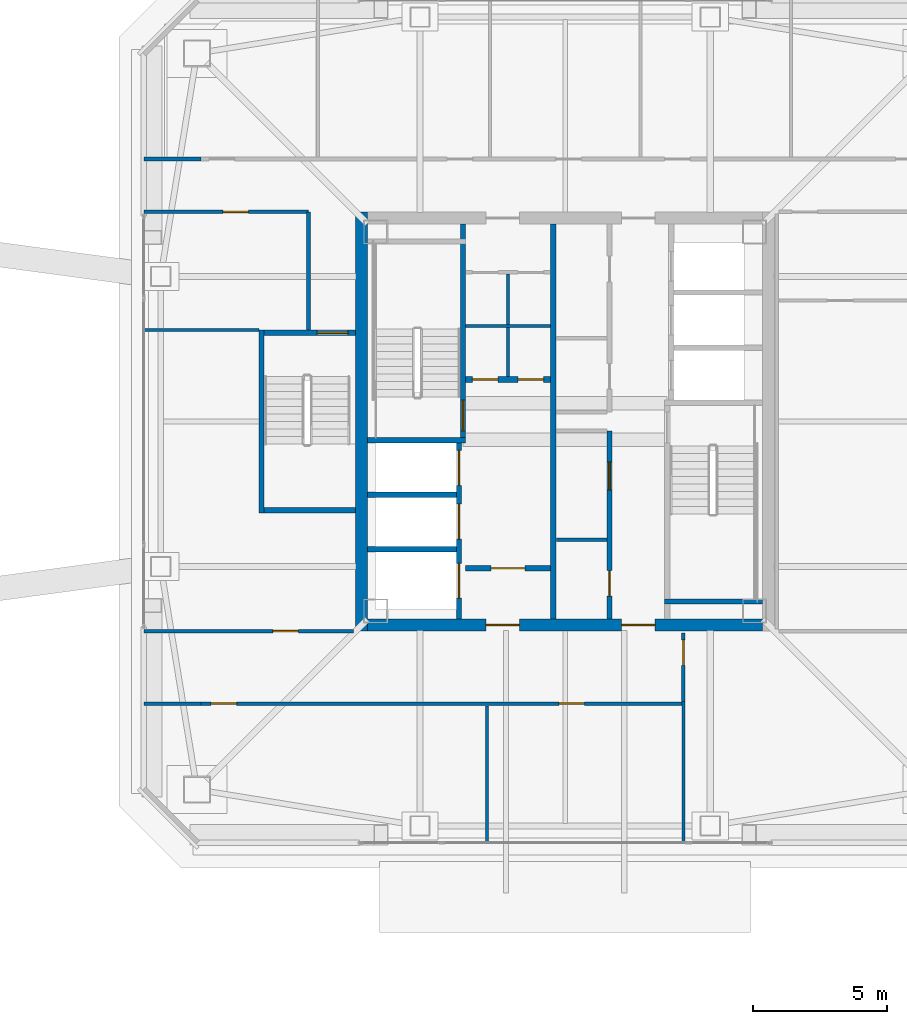
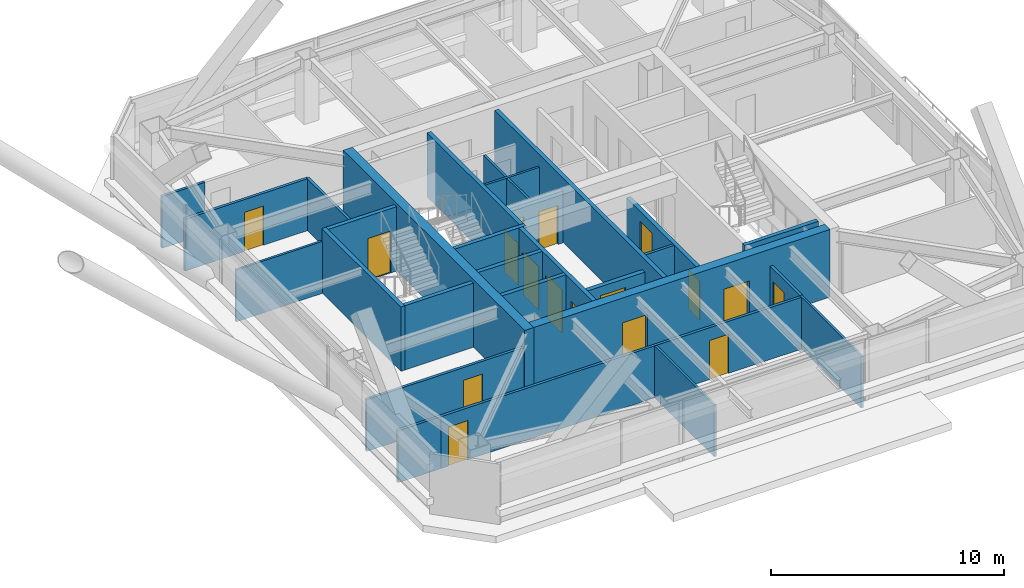
# One storey, part 30 of 39: 28 walls, 17 doors, 17 openings.
"""IFC4 building model written with IfcOpenShell, lengths in metres."""

from ifc_helpers import new_model, si_unit, direction, frame, frame_2d, origin, place, context, subcontext, project, spatial, rectangle, extrude, material, layer, layer_set, type_object, element, fill, save


model = new_model("IFC4")

# Units and contexts
model_context = context("Model", 3, precision=1e-05, world=origin(), true_north=direction((0.0, 1.0)))
body_context = subcontext(model_context, "Body", "Model", "MODEL_VIEW")
ifc_project = project(units=[si_unit("LENGTHUNIT", "METRE"), si_unit("AREAUNIT", "SQUARE_METRE"), si_unit("VOLUMEUNIT", "CUBIC_METRE"), si_unit("PLANEANGLEUNIT", "RADIAN"), si_unit("MASSUNIT", "GRAM", prefix="KILO")], contexts=[model_context])

# Site, building, storey
site_placement = place(None, origin())
site = spatial("IfcSite", under=ifc_project, at=site_placement, CompositionType="ELEMENT")
building_placement = place(site_placement, origin())
building = spatial("IfcBuilding", under=site, at=building_placement, Name="Tashvorn Skyway Center", CompositionType="ELEMENT")
storey_placement = place(building_placement, frame((0.0, 0.0, 232.60009765625)))
storey = spatial("IfcBuildingStorey", under=building, at=storey_placement, Name="L63", CompositionType="ELEMENT", Elevation=232.60009765625)

# Wall
ifc_material_1 = material(Name="Concrete C50/60", Category="concrete")
ifc_layer_1 = layer(ifc_material_1, 0.449951171875)
ifc_layer_set_1 = layer_set([ifc_layer_1], Name="Concrete C50/60")
wall_type_1 = type_object("IfcWallType", Name="WALL-CORE-450", PredefinedType="SHEAR", material=ifc_layer_set_1)
wall_1_placement = place(storey_placement, frame((34.425048828125, 24.199951171875, 0.0), z_axis=(0.0, 0.0, 1.0), x_axis=(0.0, 1.0, 0.0)))
element("IfcWall", 1, at=wall_1_placement, inside=storey, type_object=wall_type_1, Name="Tower 1 L63 West Core Shear Wall", PredefinedType="SHEAR", context=body_context, shape_type="SweptSolid", body=[
    extrude(rectangle(XDim=15.60009765625, YDim=0.449951171875, at=frame_2d((7.800048828125, 0.0))), origin(), (0.0, 0.0, 1.0), 3.5498046875),
])

# Wall, openings, doors
wall_2_placement = place(storey_placement, frame((49.35009765625, 24.425048828125, 0.0), z_axis=(0.0, 0.0, 1.0), x_axis=(-1.0, 0.0, 0.0)))
wall_2 = element("IfcWall", 2, at=wall_2_placement, inside=storey, type_object=wall_type_1, Name="Tower 1 L63 South Core Shear Wall", PredefinedType="SHEAR", context=body_context, shape_type="SweptSolid", body=[
    extrude(rectangle(XDim=14.7001953125, YDim=0.449951171875, at=frame_2d((7.35009765625, 0.0))), origin(), (0.0, 0.0, 1.0), 3.5498046875),
])
opening_1_placement = place(wall_2_placement, frame((9.050048828125, 0.0, 0.0)))
opening_1 = element("IfcOpeningElement", 3, at=opening_1_placement, cuts=wall_2, Name="Opening D-FFL-1250", PredefinedType="OPENING", context=body_context, shape_type="SweptSolid", body=[
    extrude(rectangle(XDim=1.25, YDim=2.25, at=frame_2d((0.625, 1.125))), frame((0.0, 0.23486328125, 0.0), z_axis=(0.0, -1.0, 0.0), x_axis=(1.0, 0.0, 0.0)), (0.0, 0.0, 1.0), 0.469970703125),
])
opening_2_placement = place(wall_2_placement, frame((4.0, 0.0, 0.0)))
opening_2 = element("IfcOpeningElement", 4, at=opening_2_placement, cuts=wall_2, Name="Opening D-FFL-1250", PredefinedType="OPENING", context=body_context, shape_type="SweptSolid", body=[
    extrude(rectangle(XDim=1.25, YDim=2.25, at=frame_2d((0.625, 1.125))), frame((0.0, 0.23486328125, 0.0), z_axis=(0.0, -1.0, 0.0), x_axis=(1.0, 0.0, 0.0)), (0.0, 0.0, 1.0), 0.469970703125),
])
ifc_material_2 = material(Name="Hollow galvanized steel fire door assembly", Category="steel")
door_type_1 = type_object("IfcDoorType", Name="DOOR-FFL-1250", OperationType="NOTDEFINED", PredefinedType="DOOR", material=ifc_material_2)
door_1_placement = place(opening_1_placement, origin())
door_1 = element("IfcDoor", 5, at=door_1_placement, inside=storey, type_object=door_type_1, Name="Tower 1 L63 Core South Firefighting Exit Door", OperationType="SINGLE_SWING_LEFT", OverallHeight=2.25, OverallWidth=1.25, PredefinedType="DOOR", context=body_context, shape_type="SweptSolid", body=[
    extrude(rectangle(XDim=1.25, YDim=2.25, at=frame_2d((0.625, 1.125))), frame((0.0, 0.02490234375, 0.0), z_axis=(0.0, -1.0, 0.0), x_axis=(1.0, 0.0, 0.0)), (0.0, 0.0, 1.0), 0.050048828125),
])
fill(opening_1, door_1)
door_2_placement = place(opening_2_placement, origin())
door_2 = element("IfcDoor", 6, at=door_2_placement, inside=storey, type_object=door_type_1, Name="Tower 1 L63 Core South Lift Lobby Door", OperationType="SINGLE_SWING_RIGHT", OverallHeight=2.25, OverallWidth=1.25, PredefinedType="DOOR", context=body_context, shape_type="SweptSolid", body=[
    extrude(rectangle(XDim=1.25, YDim=2.25, at=frame_2d((0.625, 1.125))), frame((0.0, 0.02490234375, 0.0), z_axis=(0.0, -1.0, 0.0), x_axis=(1.0, 0.0, 0.0)), (0.0, 0.0, 1.0), 0.050048828125),
])
fill(opening_2, door_2)

ifc_material_3 = material(Name="Concrete C40/50", Category="concrete")
ifc_layer_2 = layer(ifc_material_3, 0.219970703125)
ifc_layer_set_2 = layer_set([ifc_layer_2], Name="Concrete C40/50")
wall_type_2 = type_object("IfcWallType", Name="WALL-FFL-220", PredefinedType="SOLIDWALL", material=ifc_layer_set_2)
wall_3_placement = place(storey_placement, frame((38.300048828125, 33.56005859375, 0.0), z_axis=(0.0, 0.0, 1.0), x_axis=(1.0, 0.0, 0.0)))
wall_3 = element("IfcWall", 7, at=wall_3_placement, inside=storey, type_object=wall_type_2, Name="Tower 1 L63 Firefighting Lobby North Wall", PredefinedType="SOLIDWALL", context=body_context, shape_type="SweptSolid", body=[
    extrude(rectangle(XDim=3.14990234375, YDim=0.219970703125, at=frame_2d((1.574951171875, 0.0))), origin(), (0.0, 0.0, 1.0), 2.722900390625),
])
opening_3_placement = place(wall_3_placement, frame((0.25, 0.0, 0.0)))
opening_3 = element("IfcOpeningElement", 8, at=opening_3_placement, cuts=wall_3, Name="Opening D-RT-950", PredefinedType="OPENING", context=body_context, shape_type="SweptSolid", body=[
    extrude(rectangle(XDim=0.949951171875, YDim=2.050048828125, at=frame_2d((0.47509765625, 1.02490234375))), frame((0.0, 0.119873046875, 0.0), z_axis=(0.0, -1.0, 0.0), x_axis=(1.0, 0.0, 0.0)), (0.0, 0.0, 1.0), 0.239990234375),
])
opening_4_placement = place(wall_3_placement, frame((1.949951171875, 0.0, 0.0)))
opening_4 = element("IfcOpeningElement", 9, at=opening_4_placement, cuts=wall_3, Name="Opening D-RT-950", PredefinedType="OPENING", context=body_context, shape_type="SweptSolid", body=[
    extrude(rectangle(XDim=0.949951171875, YDim=2.050048828125, at=frame_2d((0.47509765625, 1.02490234375))), frame((0.0, 0.119873046875, 0.0), z_axis=(0.0, -1.0, 0.0), x_axis=(1.0, 0.0, 0.0)), (0.0, 0.0, 1.0), 0.239990234375),
])
door_type_2 = type_object("IfcDoorType", Name="DOOR-RATED-950", OperationType="NOTDEFINED", PredefinedType="DOOR", material=ifc_material_2)
door_3_placement = place(opening_3_placement, origin())
door_3 = element("IfcDoor", 10, at=door_3_placement, inside=storey, type_object=door_type_2, Name="Tower 1 L63 Core Mail Room Door", OperationType="SINGLE_SWING_LEFT", OverallHeight=2.050048828125, OverallWidth=0.949951171875, PredefinedType="DOOR", context=body_context, shape_type="SweptSolid", body=[
    extrude(rectangle(XDim=0.949951171875, YDim=2.050048828125, at=frame_2d((0.47509765625, 1.02490234375))), frame((0.0, 0.02490234375, 0.0), z_axis=(0.0, -1.0, 0.0), x_axis=(1.0, 0.0, 0.0)), (0.0, 0.0, 1.0), 0.050048828125),
])
fill(opening_3, door_3)
door_4_placement = place(opening_4_placement, origin())
door_4 = element("IfcDoor", 11, at=door_4_placement, inside=storey, type_object=door_type_2, Name="Tower 1 L63 Core Supply Closet Door", OperationType="SINGLE_SWING_RIGHT", OverallHeight=2.050048828125, OverallWidth=0.949951171875, PredefinedType="DOOR", context=body_context, shape_type="SweptSolid", body=[
    extrude(rectangle(XDim=0.949951171875, YDim=2.050048828125, at=frame_2d((0.47509765625, 1.02490234375))), frame((0.0, 0.02490234375, 0.0), z_axis=(0.0, -1.0, 0.0), x_axis=(1.0, 0.0, 0.0)), (0.0, 0.0, 1.0), 0.050048828125),
])
fill(opening_4, door_4)

# Wall, opening, door
wall_4_placement = place(storey_placement, frame((38.300048828125, 26.5400390625, 0.0), z_axis=(0.0, 0.0, 1.0), x_axis=(1.0, 0.0, 0.0)))
wall_4 = element("IfcWall", 12, at=wall_4_placement, inside=storey, type_object=wall_type_2, Name="Tower 1 L63 Firefighting Lobby South Wall", PredefinedType="SOLIDWALL", context=body_context, shape_type="SweptSolid", body=[
    extrude(rectangle(XDim=3.14990234375, YDim=0.219970703125, at=frame_2d((1.574951171875, 0.0))), origin(), (0.0, 0.0, 1.0), 2.722900390625),
])
opening_5_placement = place(wall_4_placement, frame((0.949951171875, 0.0, 0.0)))
opening_5 = element("IfcOpeningElement", 13, at=opening_5_placement, cuts=wall_4, Name="Opening D-FFL-1250", PredefinedType="OPENING", context=body_context, shape_type="SweptSolid", body=[
    extrude(rectangle(XDim=1.25, YDim=2.25, at=frame_2d((0.625, 1.125))), frame((0.0, 0.119873046875, 0.0), z_axis=(0.0, -1.0, 0.0), x_axis=(1.0, 0.0, 0.0)), (0.0, 0.0, 1.0), 0.239990234375),
])
door_5_placement = place(opening_5_placement, origin())
door_5 = element("IfcDoor", 14, at=door_5_placement, inside=storey, type_object=door_type_1, Name="Tower 1 L63 Firefighting Lobby Egress Door", OperationType="SINGLE_SWING_LEFT", OverallHeight=2.25, OverallWidth=1.25, PredefinedType="DOOR", context=body_context, shape_type="SweptSolid", body=[
    extrude(rectangle(XDim=1.25, YDim=2.25, at=frame_2d((0.625, 1.125))), frame((0.0, 0.02490234375, 0.0), z_axis=(0.0, -1.0, 0.0), x_axis=(1.0, 0.0, 0.0)), (0.0, 0.0, 1.0), 0.050048828125),
])
fill(opening_5, door_5)

# Walls
ifc_material_4 = material(Name="Gypsum board on cold-formed steel stud framing", Category="steel")
ifc_layer_3 = layer(ifc_material_4, 0.110107421875)
ifc_layer_set_3 = layer_set([ifc_layer_3], Name="Gypsum board on cold-formed steel stud framing")
wall_type_3 = type_object("IfcWallType", Name="WALL-PART-110", PredefinedType="PARTITIONING", material=ifc_layer_set_3)
wall_5_placement = place(storey_placement, frame((39.10009765625, 16.320068359375, 0.0), z_axis=(0.0, 0.0, 1.0), x_axis=(0.0, 1.0, 0.0)))
element("IfcWall", 15, at=wall_5_placement, inside=storey, type_object=wall_type_3, Name="Tower 1 L63 South Suite Partition 1", PredefinedType="PARTITIONING", context=body_context, shape_type="SweptSolid", body=[
    extrude(rectangle(XDim=5.099853515625, YDim=0.110107421875, at=frame_2d((2.5498046875, 0.0))), origin(), (0.0, 0.0, 1.0), 2.722900390625),
])
wall_6_placement = place(storey_placement, frame((46.39990234375, 16.320068359375, 0.0), z_axis=(0.0, 0.0, 1.0), x_axis=(0.0, 1.0, 0.0)))
element("IfcWall", 16, at=wall_6_placement, inside=storey, type_object=wall_type_3, Name="Tower 1 L63 South-East Suite Wall", PredefinedType="PARTITIONING", context=body_context, shape_type="SweptSolid", body=[
    extrude(rectangle(XDim=5.260009765625, YDim=0.110107421875, at=frame_2d((2.6298828125, 0.0))), origin(), (0.0, 0.0, 1.0), 2.722900390625),
])
wall_7_placement = place(storey_placement, frame((30.60009765625, 35.39990234375, 0.0), z_axis=(0.0, 0.0, 1.0), x_axis=(-1.0, 0.0, 0.0)))
element("IfcWall", 17, at=wall_7_placement, inside=storey, type_object=wall_type_3, Name="Tower 1 L63 West Suite Partition 1", PredefinedType="PARTITIONING", context=body_context, shape_type="SweptSolid", body=[
    extrude(rectangle(XDim=4.280029296875, YDim=0.110107421875, at=frame_2d((2.14013671875, 0.0))), origin(), (0.0, 0.0, 1.0), 2.722900390625),
])
ifc_layer_4 = layer(ifc_material_4, 0.135009765625)
ifc_layer_set_4 = layer_set([ifc_layer_4], Name="Gypsum board on cold-formed steel stud framing")
wall_type_4 = type_object("IfcWallType", Name="WALL-PART-135", PredefinedType="PARTITIONING", material=ifc_layer_set_4)
wall_8_placement = place(storey_placement, frame((32.449951171875, 35.39990234375, 0.0), z_axis=(0.0, 0.0, 1.0), x_axis=(0.0, 1.0, 0.0)))
element("IfcWall", 18, at=wall_8_placement, inside=storey, type_object=wall_type_4, Name="Tower 1 L63 Stair 3 Access Corridor Wall", PredefinedType="PARTITIONING", context=body_context, shape_type="SweptSolid", body=[
    extrude(rectangle(XDim=4.400146484375, YDim=0.135009765625, at=frame_2d((2.2001953125, 0.0))), origin(), (0.0, 0.0, 1.0), 2.722900390625),
])
wall_9_placement = place(storey_placement, frame((26.320068359375, 41.77001953125, 0.0), z_axis=(0.0, 0.0, 1.0), x_axis=(1.0, 0.0, 0.0)))
element("IfcWall", 19, at=wall_9_placement, inside=storey, type_object=wall_type_4, Name="Tower 1 L63 North-West Suite South Wall", PredefinedType="PARTITIONING", context=body_context, shape_type="SweptSolid", body=[
    extrude(rectangle(XDim=2.1298828125, YDim=0.135009765625, at=frame_2d((1.06494140625, 0.0))), origin(), (0.0, 0.0, 1.0), 2.722900390625),
])

# Wall, openings, doors
wall_10_placement = place(storey_placement, frame((46.39990234375, 21.5, 0.0), z_axis=(0.0, 0.0, 1.0), x_axis=(-1.0, 0.0, 0.0)))
wall_10 = element("IfcWall", 20, at=wall_10_placement, inside=storey, type_object=wall_type_4, Name="Tower 1 L63 South Suite Wall", PredefinedType="PARTITIONING", context=body_context, shape_type="SweptSolid", body=[
    extrude(rectangle(XDim=17.949951171875, YDim=0.135009765625, at=frame_2d((8.97509765625, 0.0))), origin(), (0.0, 0.0, 1.0), 2.722900390625),
])
opening_6_placement = place(wall_10_placement, frame((16.6201171875, 0.0, 0.0)))
opening_6 = element("IfcOpeningElement", 21, at=opening_6_placement, cuts=wall_10, Name="Opening D-INT-950", PredefinedType="OPENING", context=body_context, shape_type="SweptSolid", body=[
    extrude(rectangle(XDim=0.949951171875, YDim=2.050048828125, at=frame_2d((0.47509765625, 1.02490234375))), frame((0.0, 0.077392578125, 0.0), z_axis=(0.0, -1.0, 0.0), x_axis=(1.0, 0.0, 0.0)), (0.0, 0.0, 1.0), 0.155029296875),
])
opening_7_placement = place(wall_10_placement, frame((3.68310546875, 0.0, 0.0)))
opening_7 = element("IfcOpeningElement", 22, at=opening_7_placement, cuts=wall_10, Name="Opening D-INT-950", PredefinedType="OPENING", context=body_context, shape_type="SweptSolid", body=[
    extrude(rectangle(XDim=0.949951171875, YDim=2.050048828125, at=frame_2d((0.47509765625, 1.02490234375))), frame((0.0, 0.077392578125, 0.0), z_axis=(0.0, -1.0, 0.0), x_axis=(1.0, 0.0, 0.0)), (0.0, 0.0, 1.0), 0.155029296875),
])
ifc_material_5 = material(Name="Solid-core architectural oak veneer door")
door_type_3 = type_object("IfcDoorType", Name="DOOR-INT-950", OperationType="NOTDEFINED", PredefinedType="DOOR", material=ifc_material_5)
door_6_placement = place(opening_6_placement, origin())
door_6 = element("IfcDoor", 23, at=door_6_placement, inside=storey, type_object=door_type_3, Name="Tower 1 L63 Research Library Door", OperationType="SINGLE_SWING_LEFT", OverallHeight=2.050048828125, OverallWidth=0.949951171875, PredefinedType="DOOR", context=body_context, shape_type="SweptSolid", body=[
    extrude(rectangle(XDim=0.949951171875, YDim=2.050048828125, at=frame_2d((0.47509765625, 1.02490234375))), frame((0.0, 0.02490234375, 0.0), z_axis=(0.0, -1.0, 0.0), x_axis=(1.0, 0.0, 0.0)), (0.0, 0.0, 1.0), 0.050048828125),
])
fill(opening_6, door_6)
door_7_placement = place(opening_7_placement, origin())
door_7 = element("IfcDoor", 24, at=door_7_placement, inside=storey, type_object=door_type_3, Name="Tower 1 L63 Reading Lounge Door", OperationType="SINGLE_SWING_RIGHT", OverallHeight=2.050048828125, OverallWidth=0.949951171875, PredefinedType="DOOR", context=body_context, shape_type="SweptSolid", body=[
    extrude(rectangle(XDim=0.949951171875, YDim=2.050048828125, at=frame_2d((0.47509765625, 1.02490234375))), frame((0.0, 0.02490234375, 0.0), z_axis=(0.0, -1.0, 0.0), x_axis=(1.0, 0.0, 0.0)), (0.0, 0.0, 1.0), 0.050048828125),
])
fill(opening_7, door_7)

# Wall
wall_11_placement = place(storey_placement, frame((26.320068359375, 21.5, 0.0), z_axis=(0.0, 0.0, 1.0), x_axis=(1.0, 0.0, 0.0)))
element("IfcWall", 25, at=wall_11_placement, inside=storey, type_object=wall_type_4, Name="Tower 1 L63 South-West Suite North Wall", PredefinedType="PARTITIONING", context=body_context, shape_type="SweptSolid", body=[
    extrude(rectangle(XDim=2.1298828125, YDim=0.135009765625, at=frame_2d((1.06494140625, 0.0))), origin(), (0.0, 0.0, 1.0), 2.722900390625),
])

# Wall, opening, door
wall_12_placement = place(storey_placement, frame((46.39990234375, 24.1201171875, 0.0), z_axis=(0.0, 0.0, 1.0), x_axis=(0.0, -1.0, 0.0)))
wall_12 = element("IfcWall", 26, at=wall_12_placement, inside=storey, type_object=wall_type_4, Name="Tower 1 L63 South Gallery End Wall", PredefinedType="PARTITIONING", context=body_context, shape_type="SweptSolid", body=[
    extrude(rectangle(XDim=2.5400390625, YDim=0.135009765625, at=frame_2d((1.27001953125, 0.0))), origin(), (0.0, 0.0, 1.0), 2.722900390625),
])
opening_8_placement = place(wall_12_placement, frame((0.25, 0.0, 0.0)))
opening_8 = element("IfcOpeningElement", 27, at=opening_8_placement, cuts=wall_12, Name="Opening D-INT-950", PredefinedType="OPENING", context=body_context, shape_type="SweptSolid", body=[
    extrude(rectangle(XDim=0.949951171875, YDim=2.050048828125, at=frame_2d((0.47509765625, 1.02490234375))), frame((0.0, 0.077392578125, 0.0), z_axis=(0.0, -1.0, 0.0), x_axis=(1.0, 0.0, 0.0)), (0.0, 0.0, 1.0), 0.155029296875),
])
door_8_placement = place(opening_8_placement, origin())
door_8 = element("IfcDoor", 28, at=door_8_placement, inside=storey, type_object=door_type_3, Name="Tower 1 L63 Research Library Door", OperationType="SINGLE_SWING_LEFT", OverallHeight=2.050048828125, OverallWidth=0.949951171875, PredefinedType="DOOR", context=body_context, shape_type="SweptSolid", body=[
    extrude(rectangle(XDim=0.949951171875, YDim=2.050048828125, at=frame_2d((0.47509765625, 1.02490234375))), frame((0.0, 0.02490234375, 0.0), z_axis=(0.0, -1.0, 0.0), x_axis=(1.0, 0.0, 0.0)), (0.0, 0.0, 1.0), 0.050048828125),
])
fill(opening_8, door_8)

wall_13_placement = place(storey_placement, frame((32.449951171875, 39.800048828125, 0.0), z_axis=(0.0, 0.0, 1.0), x_axis=(-1.0, 0.0, 0.0)))
wall_13 = element("IfcWall", 29, at=wall_13_placement, inside=storey, type_object=wall_type_4, Name="Tower 1 L63 West Suite North Wall", PredefinedType="PARTITIONING", context=body_context, shape_type="SweptSolid", body=[
    extrude(rectangle(XDim=6.1298828125, YDim=0.135009765625, at=frame_2d((3.06494140625, 0.0))), origin(), (0.0, 0.0, 1.0), 2.722900390625),
])
opening_9_placement = place(wall_13_placement, frame((2.239990234375, 0.0, 0.0)))
opening_9 = element("IfcOpeningElement", 30, at=opening_9_placement, cuts=wall_13, Name="Opening D-INT-950", PredefinedType="OPENING", context=body_context, shape_type="SweptSolid", body=[
    extrude(rectangle(XDim=0.949951171875, YDim=2.050048828125, at=frame_2d((0.47509765625, 1.02490234375))), frame((0.0, 0.077392578125, 0.0), z_axis=(0.0, -1.0, 0.0), x_axis=(1.0, 0.0, 0.0)), (0.0, 0.0, 1.0), 0.155029296875),
])
door_9_placement = place(opening_9_placement, origin())
door_9 = element("IfcDoor", 31, at=door_9_placement, inside=storey, type_object=door_type_3, Name="Tower 1 L63 Design Studio Door", OperationType="SINGLE_SWING_RIGHT", OverallHeight=2.050048828125, OverallWidth=0.949951171875, PredefinedType="DOOR", context=body_context, shape_type="SweptSolid", body=[
    extrude(rectangle(XDim=0.949951171875, YDim=2.050048828125, at=frame_2d((0.47509765625, 1.02490234375))), frame((0.0, 0.02490234375, 0.0), z_axis=(0.0, -1.0, 0.0), x_axis=(1.0, 0.0, 0.0)), (0.0, 0.0, 1.0), 0.050048828125),
])
fill(opening_9, door_9)

wall_14_placement = place(storey_placement, frame((26.320068359375, 24.199951171875, 0.0), z_axis=(0.0, 0.0, 1.0), x_axis=(1.0, 0.0, 0.0)))
wall_14 = element("IfcWall", 32, at=wall_14_placement, inside=storey, type_object=wall_type_4, Name="Tower 1 L63 West Suite South Wall", PredefinedType="PARTITIONING", context=body_context, shape_type="SweptSolid", body=[
    extrude(rectangle(XDim=7.800048828125, YDim=0.135009765625, at=frame_2d((3.89990234375, 0.0))), origin(), (0.0, 0.0, 1.0), 2.722900390625),
])
opening_10_placement = place(wall_14_placement, frame((4.804931640625, 0.0, 0.0)))
opening_10 = element("IfcOpeningElement", 33, at=opening_10_placement, cuts=wall_14, Name="Opening D-INT-950", PredefinedType="OPENING", context=body_context, shape_type="SweptSolid", body=[
    extrude(rectangle(XDim=0.949951171875, YDim=2.050048828125, at=frame_2d((0.47509765625, 1.02490234375))), frame((0.0, 0.077392578125, 0.0), z_axis=(0.0, -1.0, 0.0), x_axis=(1.0, 0.0, 0.0)), (0.0, 0.0, 1.0), 0.155029296875),
])
door_10_placement = place(opening_10_placement, origin())
door_10 = element("IfcDoor", 34, at=door_10_placement, inside=storey, type_object=door_type_3, Name="Tower 1 L63 Public Restroom Door", OperationType="SINGLE_SWING_LEFT", OverallHeight=2.050048828125, OverallWidth=0.949951171875, PredefinedType="DOOR", context=body_context, shape_type="SweptSolid", body=[
    extrude(rectangle(XDim=0.949951171875, YDim=2.050048828125, at=frame_2d((0.47509765625, 1.02490234375))), frame((0.0, 0.02490234375, 0.0), z_axis=(0.0, -1.0, 0.0), x_axis=(1.0, 0.0, 0.0)), (0.0, 0.0, 1.0), 0.050048828125),
])
fill(opening_10, door_10)

# Walls
ifc_layer_5 = layer(ifc_material_4, 0.110107421875)
ifc_layer_set_5 = layer_set([ifc_layer_5], Name="Gypsum board on cold-formed steel stud framing")
wall_type_5 = type_object("IfcWallType", Name="WALL-RATED-110", PredefinedType="PARTITIONING", material=ifc_layer_set_5)
wall_15_placement = place(storey_placement, frame((39.8798828125, 33.679931640625, 0.0), z_axis=(0.0, 0.0, 1.0), x_axis=(0.0, 1.0, 0.0)))
element("IfcWall", 35, at=wall_15_placement, inside=storey, type_object=wall_type_5, Name="Tower 1 L63 Core Cross Vertical", PredefinedType="PARTITIONING", context=body_context, shape_type="SweptSolid", body=[
    extrude(rectangle(XDim=3.800048828125, YDim=0.110107421875, at=frame_2d((1.89990234375, 0.0))), origin(), (0.0, 0.0, 1.0), 2.722900390625),
])
wall_16_placement = place(storey_placement, frame((38.300048828125, 35.550048828125, 0.0), z_axis=(0.0, 0.0, 1.0), x_axis=(1.0, 0.0, 0.0)))
element("IfcWall", 36, at=wall_16_placement, inside=storey, type_object=wall_type_5, Name="Tower 1 L63 Core Cross Horizontal", PredefinedType="PARTITIONING", context=body_context, shape_type="SweptSolid", body=[
    extrude(rectangle(XDim=3.14990234375, YDim=0.110107421875, at=frame_2d((1.574951171875, 0.0))), origin(), (0.0, 0.0, 1.0), 2.722900390625),
])
ifc_layer_6 = layer(ifc_material_4, 0.135009765625)
ifc_layer_set_6 = layer_set([ifc_layer_6], Name="Gypsum board on cold-formed steel stud framing")
wall_type_6 = type_object("IfcWallType", Name="WALL-RATED-135", PredefinedType="PARTITIONING", material=ifc_layer_set_6)
wall_17_placement = place(storey_placement, frame((41.669921875, 27.60009765625, 0.0), z_axis=(0.0, 0.0, 1.0), x_axis=(1.0, 0.0, 0.0)))
element("IfcWall", 37, at=wall_17_placement, inside=storey, type_object=wall_type_6, Name="Tower 1 L63 Freed Core Partition", PredefinedType="PARTITIONING", context=body_context, shape_type="SweptSolid", body=[
    extrude(rectangle(XDim=1.880126953125, YDim=0.135009765625, at=frame_2d((0.93994140625, 0.0))), origin(), (0.0, 0.0, 1.0), 2.722900390625),
])
ifc_layer_7 = layer(ifc_material_3, 0.199951171875)
ifc_layer_set_7 = layer_set([ifc_layer_7], Name="Concrete C40/50")
wall_type_7 = type_object("IfcWallType", Name="WALL-SHAFT-200", PredefinedType="SOLIDWALL", material=ifc_layer_set_7)
for number, where, z_axis, x_axis, name in (
    (38, (34.64990234375, 27.25, 0.0), (0.0, 0.0, 1.0), (1.0, 0.0, 0.0), "Tower 1 L63 FSAE Shaft Divider"),
    (39, (34.64990234375, 29.280029296875, 0.0), (0.0, 0.0, 1.0), (1.0, 0.0, 0.0), "Tower 1 L63 FSAE Shaft Divider"),
):
    element("IfcWall", number, at=place(storey_placement, frame(where, z_axis=z_axis, x_axis=x_axis)), inside=storey, type_object=wall_type_7, Name=name, PredefinedType="SOLIDWALL", context=body_context, shape_type="SweptSolid", body=[
        extrude(rectangle(XDim=3.300048828125, YDim=0.199951171875, at=frame_2d((1.64990234375, 0.0))), origin(), (0.0, 0.0, 1.0), 3.369873046875),
    ])

# Wall, openings, doors
wall_18_placement = place(storey_placement, frame((43.64990234375, 24.64990234375, 0.0), z_axis=(0.0, 0.0, 1.0), x_axis=(0.0, 1.0, 0.0)))
wall_18 = element("IfcWall", 40, at=wall_18_placement, inside=storey, type_object=wall_type_7, Name="Tower 1 L63 Low-Rise Core Wall", PredefinedType="SOLIDWALL", context=body_context, shape_type="SweptSolid", body=[
    extrude(rectangle(XDim=7.0, YDim=0.199951171875, at=frame_2d((3.5, 0.0))), origin(), (0.0, 0.0, 1.0), 2.722900390625),
])
opening_11_placement = place(wall_18_placement, frame((0.85009765625, 0.0, 0.0)))
opening_11 = element("IfcOpeningElement", 41, at=opening_11_placement, cuts=wall_18, Name="Opening D-RT-950", PredefinedType="OPENING", context=body_context, shape_type="SweptSolid", body=[
    extrude(rectangle(XDim=0.949951171875, YDim=2.050048828125, at=frame_2d((0.47509765625, 1.02490234375))), frame((0.0, 0.10986328125, 0.0), z_axis=(0.0, -1.0, 0.0), x_axis=(1.0, 0.0, 0.0)), (0.0, 0.0, 1.0), 0.219970703125),
])
opening_12_placement = place(wall_18_placement, frame((4.800048828125, 0.0, 0.0)))
opening_12 = element("IfcOpeningElement", 42, at=opening_12_placement, cuts=wall_18, Name="Opening D-RT-1050", PredefinedType="OPENING", context=body_context, shape_type="SweptSolid", body=[
    extrude(rectangle(XDim=1.050048828125, YDim=2.199951171875, at=frame_2d((0.52490234375, 1.10009765625))), frame((0.0, 0.10986328125, 0.0), z_axis=(0.0, -1.0, 0.0), x_axis=(1.0, 0.0, 0.0)), (0.0, 0.0, 1.0), 0.219970703125),
])
door_type_4 = type_object("IfcDoorType", Name="DOOR-RATED-1050", OperationType="NOTDEFINED", PredefinedType="DOOR", material=ifc_material_2)
door_11_placement = place(opening_12_placement, origin())
door_11 = element("IfcDoor", 43, at=door_11_placement, inside=storey, type_object=door_type_4, Name="Tower 1 L63 Freed Core Room Door", OperationType="SINGLE_SWING_RIGHT", OverallHeight=2.199951171875, OverallWidth=1.050048828125, PredefinedType="DOOR", context=body_context, shape_type="SweptSolid", body=[
    extrude(rectangle(XDim=1.050048828125, YDim=2.199951171875, at=frame_2d((0.52490234375, 1.10009765625))), frame((0.0, 0.02490234375, 0.0), z_axis=(0.0, -1.0, 0.0), x_axis=(1.0, 0.0, 0.0)), (0.0, 0.0, 1.0), 0.050048828125),
])
fill(opening_12, door_11)
door_12_placement = place(opening_11_placement, origin())
door_12 = element("IfcDoor", 44, at=door_12_placement, inside=storey, type_object=door_type_2, Name="Tower 1 L63 Core Print Room Door", OperationType="SINGLE_SWING_LEFT", OverallHeight=2.050048828125, OverallWidth=0.949951171875, PredefinedType="DOOR", context=body_context, shape_type="SweptSolid", body=[
    extrude(rectangle(XDim=0.949951171875, YDim=2.050048828125, at=frame_2d((0.47509765625, 1.02490234375))), frame((0.0, 0.02490234375, 0.0), z_axis=(0.0, -1.0, 0.0), x_axis=(1.0, 0.0, 0.0)), (0.0, 0.0, 1.0), 0.050048828125),
])
fill(opening_11, door_12)

# Wall, opening, door
ifc_layer_8 = layer(ifc_material_3, 0.199951171875)
ifc_layer_set_8 = layer_set([ifc_layer_8], Name="Concrete C40/50")
wall_type_8 = type_object("IfcWallType", Name="WALL-STSHF-200", PredefinedType="SHEAR", material=ifc_layer_set_8)
wall_19_placement = place(storey_placement, frame((38.199951171875, 31.199951171875, 0.0), z_axis=(0.0, 0.0, 1.0), x_axis=(0.0, 1.0, 0.0)))
wall_19 = element("IfcWall", 45, at=wall_19_placement, inside=storey, type_object=wall_type_8, Name="Tower 1 L63 Stair 1 Enclosure Wall", PredefinedType="SHEAR", context=body_context, shape_type="SweptSolid", body=[
    extrude(rectangle(XDim=8.150146484375, YDim=0.199951171875, at=frame_2d((4.0751953125, 0.0))), origin(), (0.0, 0.0, 1.0), 3.369873046875),
])
opening_13_placement = place(wall_19_placement, frame((0.449951171875, 0.0, 0.0)))
opening_13 = element("IfcOpeningElement", 46, at=opening_13_placement, cuts=wall_19, Name="Opening D-ST-1150", PredefinedType="OPENING", context=body_context, shape_type="SweptSolid", body=[
    extrude(rectangle(XDim=1.14990234375, YDim=2.199951171875, at=frame_2d((0.574951171875, 1.10009765625))), frame((0.0, 0.10986328125, 0.0), z_axis=(0.0, -1.0, 0.0), x_axis=(1.0, 0.0, 0.0)), (0.0, 0.0, 1.0), 0.219970703125),
])
door_type_5 = type_object("IfcDoorType", Name="DOOR-STAIR-1150", OperationType="NOTDEFINED", PredefinedType="DOOR", material=ifc_material_2)
door_13_placement = place(opening_13_placement, origin())
door_13 = element("IfcDoor", 47, at=door_13_placement, inside=storey, type_object=door_type_5, Name="Tower 1 L63 Exit Stair 1 Door", OperationType="SINGLE_SWING_RIGHT", OverallHeight=2.199951171875, OverallWidth=1.14990234375, PredefinedType="DOOR", context=body_context, shape_type="SweptSolid", body=[
    extrude(rectangle(XDim=1.14990234375, YDim=2.199951171875, at=frame_2d((0.574951171875, 1.10009765625))), frame((0.0, 0.02490234375, 0.0), z_axis=(0.0, -1.0, 0.0), x_axis=(1.0, 0.0, 0.0)), (0.0, 0.0, 1.0), 0.050048828125),
])
fill(opening_13, door_13)

# Walls
for number, where, z_axis, x_axis, name in (
    (48, (34.64990234375, 31.300048828125, 0.0), (0.0, 0.0, 1.0), (1.0, 0.0, 0.0), "Tower 1 L63 Stair 1 South Wall"),
    (49, (45.699951171875, 25.300048828125, 0.0), (0.0, 0.0, 1.0), (1.0, 0.0, 0.0), "Tower 1 L63 Stair 2 South Wall"),
):
    element("IfcWall", number, at=place(storey_placement, frame(where, z_axis=z_axis, x_axis=x_axis)), inside=storey, type_object=wall_type_8, Name=name, PredefinedType="SHEAR", context=body_context, shape_type="SweptSolid", body=[
        extrude(rectangle(XDim=3.650146484375, YDim=0.199951171875, at=frame_2d((1.8251953125, 0.0))), origin(), (0.0, 0.0, 1.0), 3.369873046875),
    ])
wall_20_placement = place(storey_placement, frame((41.56005859375, 24.64990234375, 0.0), z_axis=(0.0, 0.0, 1.0), x_axis=(0.0, 1.0, 0.0)))
element("IfcWall", 50, at=wall_20_placement, inside=storey, type_object=wall_type_8, Name="Tower 1 L63 Firefighting Lobby East Smoke Barrier", PredefinedType="SHEAR", context=body_context, shape_type="SweptSolid", body=[
    extrude(rectangle(XDim=14.7001953125, YDim=0.199951171875, at=frame_2d((7.35009765625, 0.0))), origin(), (0.0, 0.0, 1.0), 3.369873046875),
])

# Wall, openings, doors
wall_21_placement = place(storey_placement, frame((38.050048828125, 24.64990234375, 0.0), z_axis=(0.0, 0.0, 1.0), x_axis=(0.0, 1.0, 0.0)))
wall_21 = element("IfcWall", 51, at=wall_21_placement, inside=storey, type_object=wall_type_8, Name="Tower 1 L63 FSAE and Goods Shaft Front Wall", PredefinedType="SHEAR", context=body_context, shape_type="SweptSolid", body=[
    extrude(rectangle(XDim=6.550048828125, YDim=0.199951171875, at=frame_2d((3.27490234375, 0.0))), origin(), (0.0, 0.0, 1.0), 3.369873046875),
])
opening_14_placement = place(wall_21_placement, frame((4.97509765625, 0.0, 0.0)))
opening_14 = element("IfcOpeningElement", 52, at=opening_14_placement, cuts=wall_21, Name="Opening LD-FF-T1-1-L63", PredefinedType="OPENING", context=body_context, shape_type="SweptSolid", body=[
    extrude(rectangle(XDim=1.300048828125, YDim=2.25, at=frame_2d((0.64990234375, 1.125))), frame((0.0, 0.10986328125, 0.0), z_axis=(0.0, -1.0, 0.0), x_axis=(1.0, 0.0, 0.0)), (0.0, 0.0, 1.0), 0.219970703125),
])
opening_15_placement = place(wall_21_placement, frame((2.97509765625, 0.0, 0.0)))
opening_15 = element("IfcOpeningElement", 53, at=opening_15_placement, cuts=wall_21, Name="Opening LD-FF-T1-2-L63", PredefinedType="OPENING", context=body_context, shape_type="SweptSolid", body=[
    extrude(rectangle(XDim=1.300048828125, YDim=2.25, at=frame_2d((0.64990234375, 1.125))), frame((0.0, 0.10986328125, 0.0), z_axis=(0.0, -1.0, 0.0), x_axis=(1.0, 0.0, 0.0)), (0.0, 0.0, 1.0), 0.219970703125),
])
opening_16_placement = place(wall_21_placement, frame((0.77490234375, 0.0, 0.0)))
opening_16 = element("IfcOpeningElement", 54, at=opening_16_placement, cuts=wall_21, Name="Opening LD-GD-T1-1-L63", PredefinedType="OPENING", context=body_context, shape_type="SweptSolid", body=[
    extrude(rectangle(XDim=1.300048828125, YDim=2.25, at=frame_2d((0.64990234375, 1.125))), frame((0.0, 0.10986328125, 0.0), z_axis=(0.0, -1.0, 0.0), x_axis=(1.0, 0.0, 0.0)), (0.0, 0.0, 1.0), 0.219970703125),
])
ifc_material_6 = material(Name="Stainless steel heavy-duty landing door", Category="steel")
door_type_6 = type_object("IfcDoorType", Name="DOOR-LIFT-1300", OperationType="SLIDING_TO_LEFT", PredefinedType="DOOR", material=ifc_material_6)
door_14_placement = place(opening_14_placement, origin())
door_14 = element("IfcDoor", 55, at=door_14_placement, inside=storey, type_object=door_type_6, Name="Lift FF-T1-1 L63 Landing Door", OperationType="SLIDING_TO_LEFT", OverallHeight=2.25, OverallWidth=1.300048828125, PredefinedType="DOOR", context=body_context, shape_type="SweptSolid", body=[
    extrude(rectangle(XDim=1.300048828125, YDim=2.25, at=frame_2d((0.64990234375, 1.125))), frame((0.0, 0.02490234375, 0.0), z_axis=(0.0, -1.0, 0.0), x_axis=(1.0, 0.0, 0.0)), (0.0, 0.0, 1.0), 0.050048828125),
])
fill(opening_14, door_14)
door_15_placement = place(opening_15_placement, origin())
door_15 = element("IfcDoor", 56, at=door_15_placement, inside=storey, type_object=door_type_6, Name="Lift FF-T1-2 L63 Landing Door", OperationType="SLIDING_TO_LEFT", OverallHeight=2.25, OverallWidth=1.300048828125, PredefinedType="DOOR", context=body_context, shape_type="SweptSolid", body=[
    extrude(rectangle(XDim=1.300048828125, YDim=2.25, at=frame_2d((0.64990234375, 1.125))), frame((0.0, 0.02490234375, 0.0), z_axis=(0.0, -1.0, 0.0), x_axis=(1.0, 0.0, 0.0)), (0.0, 0.0, 1.0), 0.050048828125),
])
fill(opening_15, door_15)
door_16_placement = place(opening_16_placement, origin())
door_16 = element("IfcDoor", 57, at=door_16_placement, inside=storey, type_object=door_type_6, Name="Lift GD-T1-1 L63 Landing Door", OperationType="SLIDING_TO_LEFT", OverallHeight=2.25, OverallWidth=1.300048828125, PredefinedType="DOOR", context=body_context, shape_type="SweptSolid", body=[
    extrude(rectangle(XDim=1.300048828125, YDim=2.25, at=frame_2d((0.64990234375, 1.125))), frame((0.0, 0.02490234375, 0.0), z_axis=(0.0, -1.0, 0.0), x_axis=(1.0, 0.0, 0.0)), (0.0, 0.0, 1.0), 0.050048828125),
])
fill(opening_16, door_16)

# Wall
wall_22_placement = place(storey_placement, frame((30.699951171875, 28.60009765625, 0.0), z_axis=(0.0, 0.0, 1.0), x_axis=(0.0, 1.0, 0.0)))
element("IfcWall", 58, at=wall_22_placement, inside=storey, type_object=wall_type_8, Name="Tower 1 L63 Stair 3 Outer Wall", PredefinedType="SHEAR", context=body_context, shape_type="SweptSolid", body=[
    extrude(rectangle(XDim=6.7998046875, YDim=0.199951171875, at=frame_2d((3.39990234375, 0.0))), origin(), (0.0, 0.0, 1.0), 3.369873046875),
])

# Wall, opening, door
wall_23_placement = place(storey_placement, frame((34.199951171875, 35.300048828125, 0.0), z_axis=(0.0, 0.0, 1.0), x_axis=(-1.0, 0.0, 0.0)))
wall_23 = element("IfcWall", 59, at=wall_23_placement, inside=storey, type_object=wall_type_8, Name="Tower 1 L63 Stair 3 Enclosure Wall", PredefinedType="SHEAR", context=body_context, shape_type="SweptSolid", body=[
    extrude(rectangle(XDim=3.39990234375, YDim=0.199951171875, at=frame_2d((1.699951171875, 0.0))), origin(), (0.0, 0.0, 1.0), 3.369873046875),
])
opening_17_placement = place(wall_23_placement, frame((0.27490234375, 0.0, 0.0)))
opening_17 = element("IfcOpeningElement", 60, at=opening_17_placement, cuts=wall_23, Name="Opening D-ST-1150", PredefinedType="OPENING", context=body_context, shape_type="SweptSolid", body=[
    extrude(rectangle(XDim=1.14990234375, YDim=2.199951171875, at=frame_2d((0.574951171875, 1.10009765625))), frame((0.0, 0.10986328125, 0.0), z_axis=(0.0, -1.0, 0.0), x_axis=(1.0, 0.0, 0.0)), (0.0, 0.0, 1.0), 0.219970703125),
])
door_17_placement = place(opening_17_placement, origin())
door_17 = element("IfcDoor", 61, at=door_17_placement, inside=storey, type_object=door_type_5, Name="Tower 1 L63 Exit Stair 3 Door", OperationType="SINGLE_SWING_RIGHT", OverallHeight=2.199951171875, OverallWidth=1.14990234375, PredefinedType="DOOR", context=body_context, shape_type="SweptSolid", body=[
    extrude(rectangle(XDim=1.14990234375, YDim=2.199951171875, at=frame_2d((0.574951171875, 1.10009765625))), frame((0.0, 0.02490234375, 0.0), z_axis=(0.0, -1.0, 0.0), x_axis=(1.0, 0.0, 0.0)), (0.0, 0.0, 1.0), 0.050048828125),
])
fill(opening_17, door_17)

# Wall
wall_24_placement = place(storey_placement, frame((30.800048828125, 28.699951171875, 0.0), z_axis=(0.0, 0.0, 1.0), x_axis=(1.0, 0.0, 0.0)))
element("IfcWall", 62, at=wall_24_placement, inside=storey, type_object=wall_type_8, Name="Tower 1 L63 Stair 3 South Wall", PredefinedType="SHEAR", context=body_context, shape_type="SweptSolid", body=[
    extrude(rectangle(XDim=3.39990234375, YDim=0.199951171875, at=frame_2d((1.699951171875, 0.0))), origin(), (0.0, 0.0, 1.0), 3.369873046875),
])

save(model, "model.ifc")
